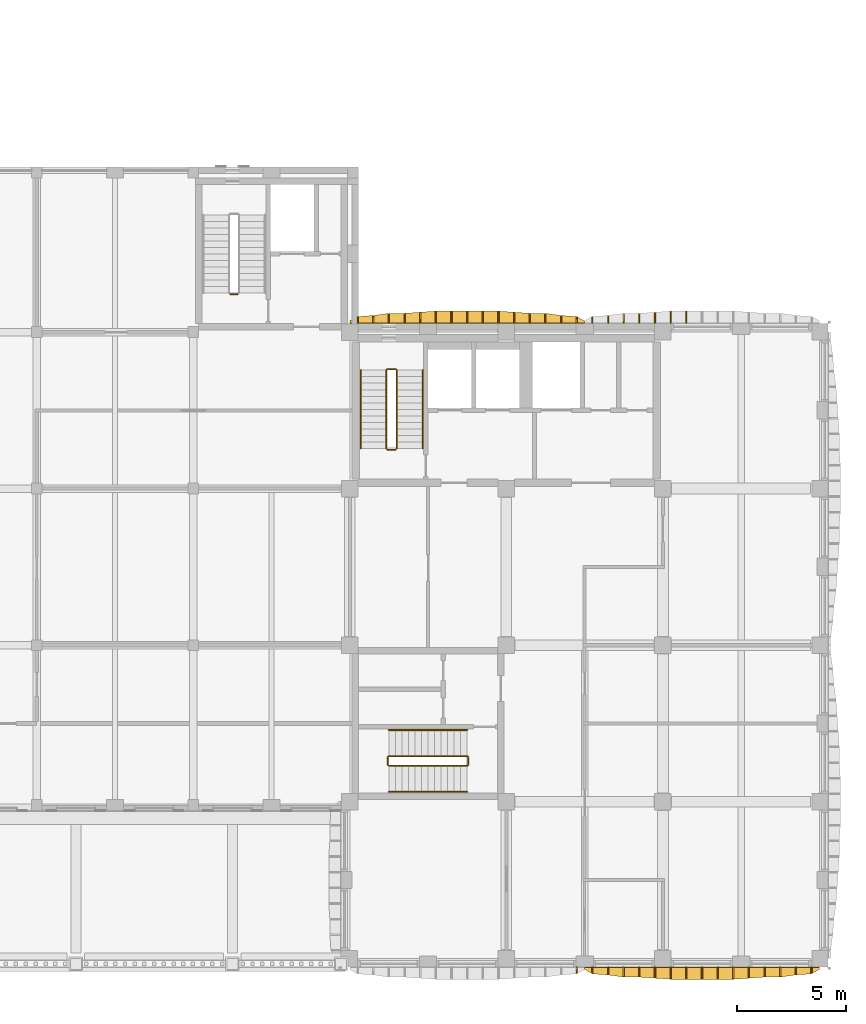
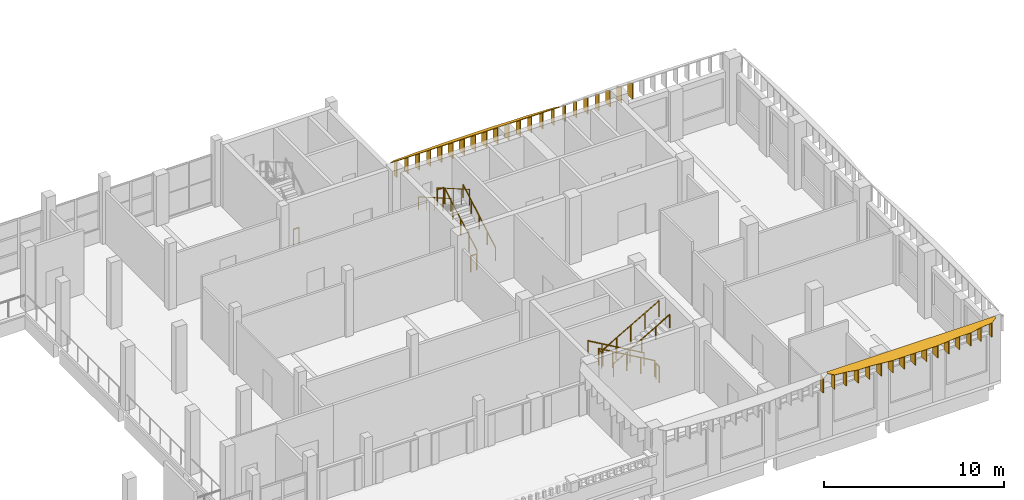
# One storey, part 38 of 58: 40 shading devices, 13 railings.
"""IFC4 building model written with IfcOpenShell, lengths in metres."""

from ifc_helpers import new_model, si_unit, direction, frame, origin, origin_2d, place, context, subcontext, project, spatial, polyline, circle, outline, extrude, material, layer, layer_set, type_object, element, save


model = new_model("IFC4")

# Units and contexts
model_context = context("Model", 3, precision=1e-05, world=origin(), true_north=direction((0.0, 1.0)))
body_context = subcontext(model_context, "Body", "Model", "MODEL_VIEW")
ifc_project = project(units=[si_unit("LENGTHUNIT", "METRE"), si_unit("AREAUNIT", "SQUARE_METRE"), si_unit("VOLUMEUNIT", "CUBIC_METRE"), si_unit("PLANEANGLEUNIT", "RADIAN"), si_unit("MASSUNIT", "GRAM", prefix="KILO")], contexts=[model_context])

# Site, building, storey
site_placement = place(None, origin())
site = spatial("IfcSite", under=ifc_project, at=site_placement, CompositionType="ELEMENT")
building_placement = place(site_placement, origin())
building = spatial("IfcBuilding", under=site, at=building_placement, Name="Ussher Court Research Institute", CompositionType="ELEMENT")
storey_placement = place(building_placement, frame((0.0, 0.0, 9.89990234375)))
storey = spatial("IfcBuildingStorey", under=building, at=storey_placement, Name="L02", CompositionType="ELEMENT", Elevation=9.89990234375)

# Shading devices
ifc_material_1 = material(Name="Bronze anodised aluminium", Category="aluminium")
ifc_layer_1 = layer(ifc_material_1, 0.050048828125)
ifc_layer_set_1 = layer_set([ifc_layer_1], Name="Bronze anodised aluminium")
shading_device_type_1 = type_object("IfcShadingDeviceType", Name="Brim blade 300 mm deep 1100 mm high canted 26 deg wet", PredefinedType="USERDEFINED", material=ifc_layer_set_1)
for number, where, z_axis, x_axis, name in (
    (1, (82.56005859375, 33.199951171875, 3.35009765625), (0.0, 0.0, 1.0), (0.0, 1.0, 0.0), "Brim blade BS06 L02"),
    (2, (92.639892578125, 33.199951171875, 3.35009765625), (0.0, 0.0, 1.0), (0.0, 1.0, 0.0), "Brim blade BS06 L02"),
    (3, (93.360107421875, 33.199951171875, 3.35009765625), (0.0, 0.0, 1.0), (0.0, 1.0, 0.0), "Brim blade BS06 L02"),
    (4, (103.43994140625, 3.60009765625, 3.35009765625), (0.0, 0.0, 1.0), (0.0, -1.0, 0.0), "Brim blade BS06 L02"),
    (5, (93.360107421875, 3.60009765625, 3.35009765625), (0.0, 0.0, 1.0), (0.0, -1.0, 0.0), "Brim blade BS06 L02"),
    (6, (92.639892578125, 3.60009765625, 3.35009765625), (0.0, 0.0, 1.0), (0.0, -1.0, 0.0), "Brim blade BS06 L02"),
):
    element("IfcShadingDevice", number, at=place(storey_placement, frame(where, z_axis=z_axis, x_axis=x_axis)), inside=storey, type_object=shading_device_type_1, Name=name, ObjectType="BLADE", PredefinedType="USERDEFINED", context=body_context, shape_type="SweptSolid", body=[
        extrude(outline(polyline([(0.0, 0.0), (0.300048828125, 0.0), (0.300048828125, 0.95361328125), (0.0, 1.10009765625), (0.0, 0.0)])), frame((0.0, 0.02490234375, 0.0), z_axis=(0.0, -1.0, 0.0), x_axis=(1.0, 0.0, 0.0)), (0.0, 0.0, 1.0), 0.050048828125),
    ])
ifc_material_2 = material(Name="Bronze anodised aluminium", Category="aluminium")
ifc_layer_2 = layer(ifc_material_2, 0.050048828125)
ifc_layer_set_2 = layer_set([ifc_layer_2], Name="Bronze anodised aluminium")
shading_device_type_2 = type_object("IfcShadingDeviceType", Name="Brim blade 350 mm deep 1100 mm high canted 26 deg wet", PredefinedType="USERDEFINED", material=ifc_layer_set_2)
for number, where, z_axis, x_axis, name in (
    (7, (83.280029296875, 33.199951171875, 3.35009765625), (0.0, 0.0, 1.0), (0.0, 1.0, 0.0), "Brim blade BS05 L02"),
    (8, (91.919921875, 33.199951171875, 3.35009765625), (0.0, 0.0, 1.0), (0.0, 1.0, 0.0), "Brim blade BS05 L02"),
    (9, (94.080078125, 33.199951171875, 3.35009765625), (0.0, 0.0, 1.0), (0.0, 1.0, 0.0), "Brim blade BS05 L02"),
    (10, (102.719970703125, 3.60009765625, 3.35009765625), (0.0, 0.0, 1.0), (0.0, -1.0, 0.0), "Brim blade BS05 L02"),
    (11, (94.080078125, 3.60009765625, 3.35009765625), (0.0, 0.0, 1.0), (0.0, -1.0, 0.0), "Brim blade BS05 L02"),
):
    element("IfcShadingDevice", number, at=place(storey_placement, frame(where, z_axis=z_axis, x_axis=x_axis)), inside=storey, type_object=shading_device_type_2, Name=name, ObjectType="BLADE", PredefinedType="USERDEFINED", context=body_context, shape_type="SweptSolid", body=[
        extrude(outline(polyline([(0.0, 0.0), (0.35009765625, 0.0), (0.35009765625, 0.92919921875), (0.0, 1.10009765625), (0.0, 0.0)])), frame((0.0, 0.02490234375, 0.0), z_axis=(0.0, -1.0, 0.0), x_axis=(1.0, 0.0, 0.0)), (0.0, 0.0, 1.0), 0.050048828125),
    ])
ifc_material_3 = material(Name="Bronze anodised aluminium", Category="aluminium")
ifc_layer_3 = layer(ifc_material_3, 0.050048828125)
ifc_layer_set_3 = layer_set([ifc_layer_3], Name="Bronze anodised aluminium")
shading_device_type_3 = type_object("IfcShadingDeviceType", Name="Brim blade 450 mm deep 1100 mm high canted 26 deg wet", PredefinedType="USERDEFINED", material=ifc_layer_set_3)
for number, where, z_axis, x_axis, name in (
    (12, (84.0, 33.199951171875, 3.35009765625), (0.0, 0.0, 1.0), (0.0, 1.0, 0.0), "Brim blade BS03 L02"),
    (13, (84.719970703125, 33.199951171875, 3.35009765625), (0.0, 0.0, 1.0), (0.0, 1.0, 0.0), "Brim blade BS03 L02"),
    (14, (90.47998046875, 33.199951171875, 3.35009765625), (0.0, 0.0, 1.0), (0.0, 1.0, 0.0), "Brim blade BS03 L02"),
    (15, (91.199951171875, 33.199951171875, 3.35009765625), (0.0, 0.0, 1.0), (0.0, 1.0, 0.0), "Brim blade BS03 L02"),
    (16, (94.800048828125, 33.199951171875, 3.35009765625), (0.0, 0.0, 1.0), (0.0, 1.0, 0.0), "Brim blade BS03 L02"),
    (17, (95.52001953125, 33.199951171875, 3.35009765625), (0.0, 0.0, 1.0), (0.0, 1.0, 0.0), "Brim blade BS03 L02"),
):
    element("IfcShadingDevice", number, at=place(storey_placement, frame(where, z_axis=z_axis, x_axis=x_axis)), inside=storey, type_object=shading_device_type_3, Name=name, ObjectType="BLADE", PredefinedType="USERDEFINED", context=body_context, shape_type="SweptSolid", body=[
        extrude(outline(polyline([(0.0, 0.0), (0.449951171875, 0.0), (0.449951171875, 0.880615234375), (0.0, 1.10009765625), (0.0, 0.0)])), frame((0.0, 0.02490234375, 0.0), z_axis=(0.0, -1.0, 0.0), x_axis=(1.0, 0.0, 0.0)), (0.0, 0.0, 1.0), 0.050048828125),
    ])
for number, where, z_axis, x_axis, name in (
    (18, (102.0, 3.60009765625, 3.35009765625), (0.0, 0.0, 1.0), (0.0, -1.0, 0.0), "Brim blade BS03 L02"),
    (19, (101.280029296875, 3.60009765625, 3.35009765625), (0.0, 0.0, 1.0), (0.0, -1.0, 0.0), "Brim blade BS03 L02"),
    (20, (95.52001953125, 3.60009765625, 3.35009765625), (0.0, 0.0, 1.0), (0.0, -1.0, 0.0), "Brim blade BS03 L02"),
    (21, (94.800048828125, 3.60009765625, 3.35009765625), (0.0, 0.0, 1.0), (0.0, -1.0, 0.0), "Brim blade BS03 L02"),
):
    element("IfcShadingDevice", number, at=place(storey_placement, frame(where, z_axis=z_axis, x_axis=x_axis)), inside=storey, type_object=shading_device_type_3, Name=name, ObjectType="BLADE", PredefinedType="USERDEFINED", context=body_context, shape_type="SweptSolid", body=[
        extrude(outline(polyline([(0.0, 0.0), (0.4501953125, 0.0), (0.449951171875, 0.880615234375), (0.0, 1.10009765625), (0.0, 0.0)])), frame((0.0, 0.02490234375, 0.0), z_axis=(0.0, -1.0, 0.0), x_axis=(1.0, 0.0, 0.0)), (0.0, 0.0, 1.0), 0.050048828125),
    ])
ifc_material_4 = material(Name="Bronze anodised aluminium", Category="aluminium")
ifc_layer_4 = layer(ifc_material_4, 0.050048828125)
ifc_layer_set_4 = layer_set([ifc_layer_4], Name="Bronze anodised aluminium")
shading_device_type_4 = type_object("IfcShadingDeviceType", Name="Brim blade 500 mm deep 1100 mm high canted 26 deg wet", PredefinedType="USERDEFINED", material=ifc_layer_set_4)
for number, where, z_axis, x_axis, name in (
    (22, (85.43994140625, 33.199951171875, 3.35009765625), (0.0, 0.0, 1.0), (0.0, 1.0, 0.0), "Brim blade BS02 L02"),
    (23, (89.760009765625, 33.199951171875, 3.35009765625), (0.0, 0.0, 1.0), (0.0, 1.0, 0.0), "Brim blade BS02 L02"),
    (24, (96.239990234375, 33.199951171875, 3.35009765625), (0.0, 0.0, 1.0), (0.0, 1.0, 0.0), "Brim blade BS02 L02"),
    (25, (100.56005859375, 3.60009765625, 3.35009765625), (0.0, 0.0, 1.0), (0.0, -1.0, 0.0), "Brim blade BS02 L02"),
    (26, (96.239990234375, 3.60009765625, 3.35009765625), (0.0, 0.0, 1.0), (0.0, -1.0, 0.0), "Brim blade BS02 L02"),
):
    element("IfcShadingDevice", number, at=place(storey_placement, frame(where, z_axis=z_axis, x_axis=x_axis)), inside=storey, type_object=shading_device_type_4, Name=name, ObjectType="BLADE", PredefinedType="USERDEFINED", context=body_context, shape_type="SweptSolid", body=[
        extrude(outline(polyline([(0.0, 0.0), (0.5, 0.0), (0.5, 0.856201171875), (0.0, 1.10009765625), (0.0, 0.0)])), frame((0.0, 0.02490234375, 0.0), z_axis=(0.0, -1.0, 0.0), x_axis=(1.0, 0.0, 0.0)), (0.0, 0.0, 1.0), 0.050048828125),
    ])
ifc_material_5 = material(Name="Bronze anodised aluminium", Category="aluminium")
ifc_layer_5 = layer(ifc_material_5, 0.050048828125)
ifc_layer_set_5 = layer_set([ifc_layer_5], Name="Bronze anodised aluminium")
shading_device_type_5 = type_object("IfcShadingDeviceType", Name="Brim blade 550 mm deep 1100 mm high canted 26 deg wet", PredefinedType="USERDEFINED", material=ifc_layer_set_5)
for number, where, z_axis, x_axis, name in (
    (27, (86.159912109375, 33.199951171875, 3.35009765625), (0.0, 0.0, 1.0), (0.0, 1.0, 0.0), "Brim blade BS01 L02"),
    (28, (86.8798828125, 33.199951171875, 3.35009765625), (0.0, 0.0, 1.0), (0.0, 1.0, 0.0), "Brim blade BS01 L02"),
    (29, (87.60009765625, 33.199951171875, 3.35009765625), (0.0, 0.0, 1.0), (0.0, 1.0, 0.0), "Brim blade BS01 L02"),
    (30, (88.320068359375, 33.199951171875, 3.35009765625), (0.0, 0.0, 1.0), (0.0, 1.0, 0.0), "Brim blade BS01 L02"),
    (31, (89.0400390625, 33.199951171875, 3.35009765625), (0.0, 0.0, 1.0), (0.0, 1.0, 0.0), "Brim blade BS01 L02"),
    (32, (96.9599609375, 33.199951171875, 3.35009765625), (0.0, 0.0, 1.0), (0.0, 1.0, 0.0), "Brim blade BS01 L02"),
    (33, (97.679931640625, 33.199951171875, 3.35009765625), (0.0, 0.0, 1.0), (0.0, 1.0, 0.0), "Brim blade BS01 L02"),
    (34, (99.840087890625, 3.60009765625, 3.35009765625), (0.0, 0.0, 1.0), (0.0, -1.0, 0.0), "Brim blade BS01 L02"),
    (35, (99.1201171875, 3.60009765625, 3.35009765625), (0.0, 0.0, 1.0), (0.0, -1.0, 0.0), "Brim blade BS01 L02"),
    (36, (98.39990234375, 3.60009765625, 3.35009765625), (0.0, 0.0, 1.0), (0.0, -1.0, 0.0), "Brim blade BS01 L02"),
    (37, (97.679931640625, 3.60009765625, 3.35009765625), (0.0, 0.0, 1.0), (0.0, -1.0, 0.0), "Brim blade BS01 L02"),
    (38, (96.9599609375, 3.60009765625, 3.35009765625), (0.0, 0.0, 1.0), (0.0, -1.0, 0.0), "Brim blade BS01 L02"),
):
    element("IfcShadingDevice", number, at=place(storey_placement, frame(where, z_axis=z_axis, x_axis=x_axis)), inside=storey, type_object=shading_device_type_5, Name=name, ObjectType="BLADE", PredefinedType="USERDEFINED", context=body_context, shape_type="SweptSolid", body=[
        extrude(outline(polyline([(0.0, 0.0), (0.550048828125, 0.0), (0.550048828125, 0.831787109375), (0.0, 1.10009765625), (0.0, 0.0)])), frame((0.0, 0.02490234375, 0.0), z_axis=(0.0, -1.0, 0.0), x_axis=(1.0, 0.0, 0.0)), (0.0, 0.0, 1.0), 0.050048828125),
    ])
ifc_material_6 = material(Name="Bronze anodised aluminium", Category="aluminium")
ifc_layer_6 = layer(ifc_material_6, 0.0400390625)
ifc_layer_set_6 = layer_set([ifc_layer_6], Name="Bronze anodised aluminium")
shading_device_type_6 = type_object("IfcShadingDeviceType", Name="Brim visor sheet 40 mm canted 26 deg wet", PredefinedType="USERDEFINED", material=ifc_layer_set_6)
shading_device_1_placement = place(storey_placement, frame((82.199951171875, 33.217529296875, 4.486083984375), z_axis=(0.0, 0.438493442835, 0.898734388232), x_axis=(1.0, 0.0, 0.0)))
element("IfcShadingDevice", 39, at=shading_device_1_placement, inside=storey, type_object=shading_device_type_6, Name="Brim visor sheet BR1 L02", ObjectType="BRIM", PredefinedType="USERDEFINED", context=body_context, shape_type="SweptSolid", body=[
    extrude(outline(polyline([(0.0, 0.0), (10.800048828125, 0.0), (10.800048828125, 0.11115260091647443), (10.43994140625, 0.3338966378999272), (9.719970703125, 0.3893632295705384), (9.0, 0.5006281939990725), (8.280029296875, 0.5006281939990725), (7.56005859375, 0.5563142032449357), (6.840087890625, 0.612000212490799), (6.1201171875, 0.612000212490799), (5.400146484375, 0.612000212490799), (4.679931640625, 0.612000212490799), (3.9599609375, 0.612000212490799), (3.239990234375, 0.5563142032449357), (2.52001953125, 0.5006281939990725), (1.800048828125, 0.5006281939990725), (1.080078125, 0.3893632295705384), (0.360107421875, 0.3338966378999272), (0.0, 0.11115260091647443), (0.0, 0.0)])), origin(), (0.0, 0.0, -1.0), 0.0400390625),
])
shading_device_2_placement = place(storey_placement, frame((103.800048828125, 3.58251953125, 4.486083984375), z_axis=(0.0, -0.438461416816, 0.898750013054), x_axis=(-1.0, 0.0, 0.0)))
element("IfcShadingDevice", 40, at=shading_device_2_placement, inside=storey, type_object=shading_device_type_6, Name="Brim visor sheet BR1 L02", ObjectType="BRIM", PredefinedType="USERDEFINED", context=body_context, shape_type="SweptSolid", body=[
    extrude(outline(polyline([(0.0, 0.0), (10.800048828125, 0.0), (10.800048828125, 0.1113720187292832), (10.43994140625, 0.33389663479794396), (9.719970703125, 0.38958264416258553), (9.0, 0.5006281952576233), (8.280029296875, 0.5006281952576233), (7.56005859375, 0.5563142046222649), (6.840087890625, 0.6120002139869065), (6.1201171875, 0.6120002139869065), (5.400146484375, 0.6120002139869065), (4.679931640625, 0.6120002139869065), (3.9599609375, 0.6120002139869065), (3.239990234375, 0.5563142046222649), (2.52001953125, 0.5006281952576233), (1.800048828125, 0.5006281952576233), (1.080078125, 0.38958264416258553), (0.360107421875, 0.33389663479794396), (0.0, 0.1113720187292832), (0.0, 0.0)])), origin(), (0.0, 0.0, -1.0), 0.0400390625),
])

# Railings
ifc_material_7 = material(Name="Painted steel balustrade", Category="steel")
railing_type_1 = type_object("IfcRailingType", Name="Stair guard 1100 steel balustrade", PredefinedType="GUARDRAIL", material=ifc_material_7)
railing_1_placement = place(storey_placement, frame((77.050048828125, 34.550048828125, 0.0)))
element("IfcRailing", 41, at=railing_1_placement, inside=storey, type_object=railing_type_1, Name="L02 E1 stair guard 4", PredefinedType="GUARDRAIL", context=body_context, shape_type="SweptSolid", body=[
    extrude(circle(Radius=0.02392578125, at=origin_2d()), frame((0.0, 0.0, 1.076171875), z_axis=(-1.0, 0.0, 0.0), x_axis=(0.0, -1.0, 0.0)), (0.0, 0.0, 1.0), 0.35009765625),
    extrude(circle(Radius=0.02099609375, at=origin_2d()), origin(), (0.0, 0.0, 1.0), 1.052001953125),
    extrude(circle(Radius=0.02099609375, at=origin_2d()), frame((-0.35009765625, 0.0, 0.0)), (0.0, 0.0, 1.0), 1.052001953125),
])
railing_2_placement = place(storey_placement, frame((84.3701171875, 27.449951171875, 0.173095703125)))
element("IfcRailing", 42, at=railing_2_placement, inside=storey, type_object=railing_type_1, Name="L02 T1 stair guard 1", PredefinedType="GUARDRAIL", context=body_context, shape_type="SweptSolid", body=[
    extrude(circle(Radius=0.02392578125, at=origin_2d()), frame((0.0, 0.0, 1.076171875), z_axis=(0.0, 0.866193409371, 0.499708892819), x_axis=(-1.0, 0.0, 0.0)), (0.0, 0.0, 1.0), 4.15625),
    extrude(circle(Radius=0.02099609375, at=origin_2d()), origin(), (0.0, 0.0, 1.0), 1.052001953125),
    extrude(circle(Radius=0.02099609375, at=origin_2d()), frame((0.0, 0.89990234375, 0.519287109375)), (0.0, 0.0, 1.0), 1.052001953125),
    extrude(circle(Radius=0.02099609375, at=origin_2d()), frame((0.0, 1.800048828125, 1.03857421875)), (0.0, 0.0, 1.0), 1.052001953125),
    extrude(circle(Radius=0.02099609375, at=origin_2d()), frame((0.0, 2.7001953125, 1.5576171875)), (0.0, 0.0, 1.0), 1.052001953125),
    extrude(circle(Radius=0.02099609375, at=origin_2d()), frame((0.0, 3.60009765625, 2.076904296875)), (0.0, 0.0, 1.0), 1.052001953125),
])
railing_3_placement = place(storey_placement, frame((84.320068359375, 31.10009765625, 2.25)))
element("IfcRailing", 43, at=railing_3_placement, inside=storey, type_object=railing_type_1, Name="L02 T1 stair guard 2", PredefinedType="GUARDRAIL", context=body_context, shape_type="SweptSolid", body=[
    extrude(circle(Radius=0.02392578125, at=origin_2d()), frame((0.0, 0.0, 1.076171875), z_axis=(-1.0, 0.0, 0.0), x_axis=(0.0, -1.0, 0.0)), (0.0, 0.0, 1.0), 0.39013671875),
    extrude(circle(Radius=0.02099609375, at=origin_2d()), origin(), (0.0, 0.0, 1.0), 1.052001953125),
    extrude(circle(Radius=0.02099609375, at=origin_2d()), frame((-0.39013671875, 0.0, 0.0)), (0.0, 0.0, 1.0), 1.052001953125),
])
railing_4_placement = place(storey_placement, frame((83.8798828125, 31.050048828125, 2.423095703125)))
element("IfcRailing", 44, at=railing_4_placement, inside=storey, type_object=railing_type_1, Name="L02 T1 stair guard 3", PredefinedType="GUARDRAIL", context=body_context, shape_type="SweptSolid", body=[
    extrude(circle(Radius=0.02392578125, at=origin_2d()), frame((0.0, 0.0, 1.076171875), z_axis=(0.0, -0.866193409371, 0.499708892819), x_axis=(1.0, 0.0, 0.0)), (0.0, 0.0, 1.0), 4.15625),
    extrude(circle(Radius=0.02099609375, at=origin_2d()), origin(), (0.0, 0.0, 1.0), 1.052001953125),
    extrude(circle(Radius=0.02099609375, at=origin_2d()), frame((0.0, -0.89990234375, 0.519287109375)), (0.0, 0.0, 1.0), 1.052001953125),
    extrude(circle(Radius=0.02099609375, at=origin_2d()), frame((0.0, -1.800048828125, 1.03857421875)), (0.0, 0.0, 1.0), 1.052001953125),
    extrude(circle(Radius=0.02099609375, at=origin_2d()), frame((0.0, -2.7001953125, 1.5576171875)), (0.0, 0.0, 1.0), 1.052001953125),
    extrude(circle(Radius=0.02099609375, at=origin_2d()), frame((0.0, -3.60009765625, 2.076904296875)), (0.0, 0.0, 1.0), 1.052001953125),
])
railing_5_placement = place(storey_placement, frame((84.320068359375, 27.39990234375, 0.0)))
element("IfcRailing", 45, at=railing_5_placement, inside=storey, type_object=railing_type_1, Name="L02 T1 stair guard 4", PredefinedType="GUARDRAIL", context=body_context, shape_type="SweptSolid", body=[
    extrude(circle(Radius=0.02392578125, at=origin_2d()), frame((0.0, 0.0, 1.076171875), z_axis=(-1.0, 0.0, 0.0), x_axis=(0.0, -1.0, 0.0)), (0.0, 0.0, 1.0), 0.39013671875),
    extrude(circle(Radius=0.02099609375, at=origin_2d()), origin(), (0.0, 0.0, 1.0), 1.052001953125),
    extrude(circle(Radius=0.02099609375, at=origin_2d()), frame((-0.39013671875, 0.0, 0.0)), (0.0, 0.0, 1.0), 1.052001953125),
])
railing_6_placement = place(storey_placement, frame((87.60009765625, 13.300048828125, 0.173095703125)))
element("IfcRailing", 46, at=railing_6_placement, inside=storey, type_object=railing_type_1, Name="L02 T2 stair guard 1", PredefinedType="GUARDRAIL", context=body_context, shape_type="SweptSolid", body=[
    extrude(circle(Radius=0.02392578125, at=origin_2d()), frame((0.0, 0.0, 1.076171875), z_axis=(-0.866193409371, 0.0, 0.499708892819), x_axis=(0.0, -1.0, 0.0)), (0.0, 0.0, 1.0), 4.15625),
    extrude(circle(Radius=0.02099609375, at=origin_2d()), origin(), (0.0, 0.0, 1.0), 1.052001953125),
    extrude(circle(Radius=0.02099609375, at=origin_2d()), frame((-0.89990234375, 0.0, 0.519287109375)), (0.0, 0.0, 1.0), 1.052001953125),
    extrude(circle(Radius=0.02099609375, at=origin_2d()), frame((-1.800048828125, 0.0, 1.03857421875)), (0.0, 0.0, 1.0), 1.052001953125),
    extrude(circle(Radius=0.02099609375, at=origin_2d()), frame((-2.7001953125, 0.0, 1.5576171875)), (0.0, 0.0, 1.0), 1.052001953125),
    extrude(circle(Radius=0.02099609375, at=origin_2d()), frame((-3.60009765625, 0.0, 2.076904296875)), (0.0, 0.0, 1.0), 1.052001953125),
])
railing_7_placement = place(storey_placement, frame((83.949951171875, 13.25, 2.25)))
element("IfcRailing", 47, at=railing_7_placement, inside=storey, type_object=railing_type_1, Name="L02 T2 stair guard 2", PredefinedType="GUARDRAIL", context=body_context, shape_type="SweptSolid", body=[
    extrude(circle(Radius=0.02392578125, at=origin_2d()), frame((0.0, 0.0, 1.076171875), z_axis=(0.0, -1.0, 0.0), x_axis=(1.0, 0.0, 0.0)), (0.0, 0.0, 1.0), 0.35009765625),
    extrude(circle(Radius=0.02099609375, at=origin_2d()), origin(), (0.0, 0.0, 1.0), 1.052001953125),
    extrude(circle(Radius=0.02099609375, at=origin_2d()), frame((0.0, -0.35009765625, 0.0)), (0.0, 0.0, 1.0), 1.052001953125),
])
railing_8_placement = place(storey_placement, frame((84.0, 12.85009765625, 2.423095703125)))
element("IfcRailing", 48, at=railing_8_placement, inside=storey, type_object=railing_type_1, Name="L02 T2 stair guard 3", PredefinedType="GUARDRAIL", context=body_context, shape_type="SweptSolid", body=[
    extrude(circle(Radius=0.02392578125, at=origin_2d()), frame((0.0, 0.0, 1.076171875), z_axis=(0.866193409371, 0.0, 0.499708892819), x_axis=(0.0, 1.0, 0.0)), (0.0, 0.0, 1.0), 4.15625),
    extrude(circle(Radius=0.02099609375, at=origin_2d()), origin(), (0.0, 0.0, 1.0), 1.052001953125),
    extrude(circle(Radius=0.02099609375, at=origin_2d()), frame((0.89990234375, 0.0, 0.519287109375)), (0.0, 0.0, 1.0), 1.052001953125),
    extrude(circle(Radius=0.02099609375, at=origin_2d()), frame((1.800048828125, 0.0, 1.03857421875)), (0.0, 0.0, 1.0), 1.052001953125),
    extrude(circle(Radius=0.02099609375, at=origin_2d()), frame((2.7001953125, 0.0, 1.5576171875)), (0.0, 0.0, 1.0), 1.052001953125),
    extrude(circle(Radius=0.02099609375, at=origin_2d()), frame((3.60009765625, 0.0, 2.076904296875)), (0.0, 0.0, 1.0), 1.052001953125),
])
railing_9_placement = place(storey_placement, frame((87.64990234375, 13.25, 0.0)))
element("IfcRailing", 49, at=railing_9_placement, inside=storey, type_object=railing_type_1, Name="L02 T2 stair guard 4", PredefinedType="GUARDRAIL", context=body_context, shape_type="SweptSolid", body=[
    extrude(circle(Radius=0.02392578125, at=origin_2d()), frame((0.0, 0.0, 1.076171875), z_axis=(0.0, -1.0, 0.0), x_axis=(1.0, 0.0, 0.0)), (0.0, 0.0, 1.0), 0.35009765625),
    extrude(circle(Radius=0.02099609375, at=origin_2d()), origin(), (0.0, 0.0, 1.0), 1.052001953125),
    extrude(circle(Radius=0.02099609375, at=origin_2d()), frame((0.0, -0.35009765625, 0.0)), (0.0, 0.0, 1.0), 1.052001953125),
])
ifc_material_8 = material(Name="Painted steel handrail", Category="steel")
railing_type_2 = type_object("IfcRailingType", Name="Stair handrail 900 steel", PredefinedType="HANDRAIL", material=ifc_material_8)
railing_10_placement = place(storey_placement, frame((85.550048828125, 27.449951171875, 0.173095703125)))
element("IfcRailing", 50, at=railing_10_placement, inside=storey, type_object=railing_type_2, Name="L02 T1 stair handrail 1", PredefinedType="HANDRAIL", context=body_context, shape_type="SweptSolid", body=[
    extrude(circle(Radius=0.02392578125, at=origin_2d()), frame((0.0, 0.0, 0.8759765625), z_axis=(0.0, 0.866193409371, 0.499708892819), x_axis=(-1.0, 0.0, 0.0)), (0.0, 0.0, 1.0), 4.15625),
    extrude(circle(Radius=0.02099609375, at=origin_2d()), origin(), (0.0, 0.0, 1.0), 0.851806640625),
    extrude(circle(Radius=0.02099609375, at=origin_2d()), frame((0.0, 0.89990234375, 0.519287109375)), (0.0, 0.0, 1.0), 0.851806640625),
    extrude(circle(Radius=0.02099609375, at=origin_2d()), frame((0.0, 1.800048828125, 1.03857421875)), (0.0, 0.0, 1.0), 0.851806640625),
    extrude(circle(Radius=0.02099609375, at=origin_2d()), frame((0.0, 2.7001953125, 1.5576171875)), (0.0, 0.0, 1.0), 0.851806640625),
    extrude(circle(Radius=0.02099609375, at=origin_2d()), frame((0.0, 3.60009765625, 2.076904296875)), (0.0, 0.0, 1.0), 0.851806640625),
])
railing_11_placement = place(storey_placement, frame((82.699951171875, 31.050048828125, 2.423095703125)))
element("IfcRailing", 51, at=railing_11_placement, inside=storey, type_object=railing_type_2, Name="L02 T1 stair handrail 2", PredefinedType="HANDRAIL", context=body_context, shape_type="SweptSolid", body=[
    extrude(circle(Radius=0.02392578125, at=origin_2d()), frame((0.0, 0.0, 0.8759765625), z_axis=(0.0, -0.866193409371, 0.499708892819), x_axis=(1.0, 0.0, 0.0)), (0.0, 0.0, 1.0), 4.15625),
    extrude(circle(Radius=0.02099609375, at=origin_2d()), origin(), (0.0, 0.0, 1.0), 0.851806640625),
    extrude(circle(Radius=0.02099609375, at=origin_2d()), frame((0.0, -0.89990234375, 0.519287109375)), (0.0, 0.0, 1.0), 0.851806640625),
    extrude(circle(Radius=0.02099609375, at=origin_2d()), frame((0.0, -1.800048828125, 1.03857421875)), (0.0, 0.0, 1.0), 0.851806640625),
    extrude(circle(Radius=0.02099609375, at=origin_2d()), frame((0.0, -2.7001953125, 1.5576171875)), (0.0, 0.0, 1.0), 0.851806640625),
    extrude(circle(Radius=0.02099609375, at=origin_2d()), frame((0.0, -3.60009765625, 2.076904296875)), (0.0, 0.0, 1.0), 0.851806640625),
])
railing_12_placement = place(storey_placement, frame((87.60009765625, 14.5, 0.173095703125)))
element("IfcRailing", 52, at=railing_12_placement, inside=storey, type_object=railing_type_2, Name="L02 T2 stair handrail 1", PredefinedType="HANDRAIL", context=body_context, shape_type="SweptSolid", body=[
    extrude(circle(Radius=0.02392578125, at=origin_2d()), frame((0.0, 0.0, 0.8759765625), z_axis=(-0.866193409371, 0.0, 0.499708892819), x_axis=(0.0, -1.0, 0.0)), (0.0, 0.0, 1.0), 4.15625),
    extrude(circle(Radius=0.02099609375, at=origin_2d()), origin(), (0.0, 0.0, 1.0), 0.851806640625),
    extrude(circle(Radius=0.02099609375, at=origin_2d()), frame((-0.89990234375, 0.0, 0.519287109375)), (0.0, 0.0, 1.0), 0.851806640625),
    extrude(circle(Radius=0.02099609375, at=origin_2d()), frame((-1.800048828125, 0.0, 1.03857421875)), (0.0, 0.0, 1.0), 0.851806640625),
    extrude(circle(Radius=0.02099609375, at=origin_2d()), frame((-2.7001953125, 0.0, 1.5576171875)), (0.0, 0.0, 1.0), 0.851806640625),
    extrude(circle(Radius=0.02099609375, at=origin_2d()), frame((-3.60009765625, 0.0, 2.076904296875)), (0.0, 0.0, 1.0), 0.851806640625),
])
railing_13_placement = place(storey_placement, frame((84.0, 11.64990234375, 2.423095703125)))
element("IfcRailing", 53, at=railing_13_placement, inside=storey, type_object=railing_type_2, Name="L02 T2 stair handrail 2", PredefinedType="HANDRAIL", context=body_context, shape_type="SweptSolid", body=[
    extrude(circle(Radius=0.02392578125, at=origin_2d()), frame((0.0, 0.0, 0.8759765625), z_axis=(0.866193409371, 0.0, 0.499708892819), x_axis=(0.0, 1.0, 0.0)), (0.0, 0.0, 1.0), 4.15625),
    extrude(circle(Radius=0.02099609375, at=origin_2d()), origin(), (0.0, 0.0, 1.0), 0.851806640625),
    extrude(circle(Radius=0.02099609375, at=origin_2d()), frame((0.89990234375, 0.0, 0.519287109375)), (0.0, 0.0, 1.0), 0.851806640625),
    extrude(circle(Radius=0.02099609375, at=origin_2d()), frame((1.800048828125, 0.0, 1.03857421875)), (0.0, 0.0, 1.0), 0.851806640625),
    extrude(circle(Radius=0.02099609375, at=origin_2d()), frame((2.7001953125, 0.0, 1.5576171875)), (0.0, 0.0, 1.0), 0.851806640625),
    extrude(circle(Radius=0.02099609375, at=origin_2d()), frame((3.60009765625, 0.0, 2.076904296875)), (0.0, 0.0, 1.0), 0.851806640625),
])

save(model, "model.ifc")
